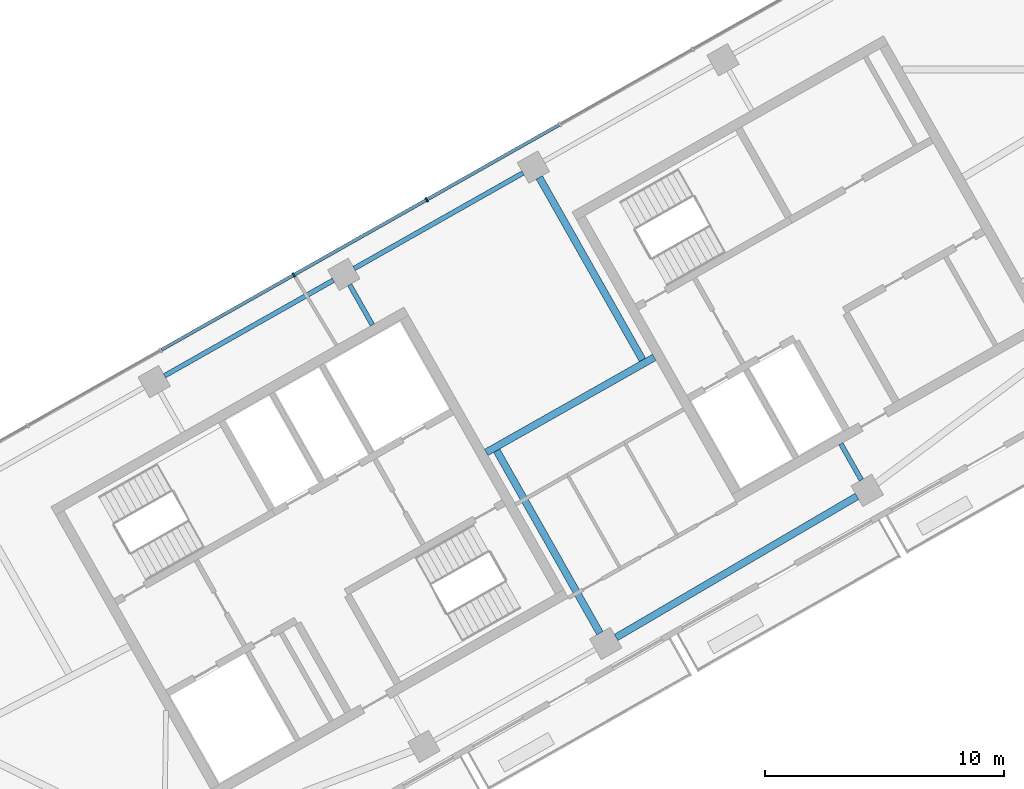
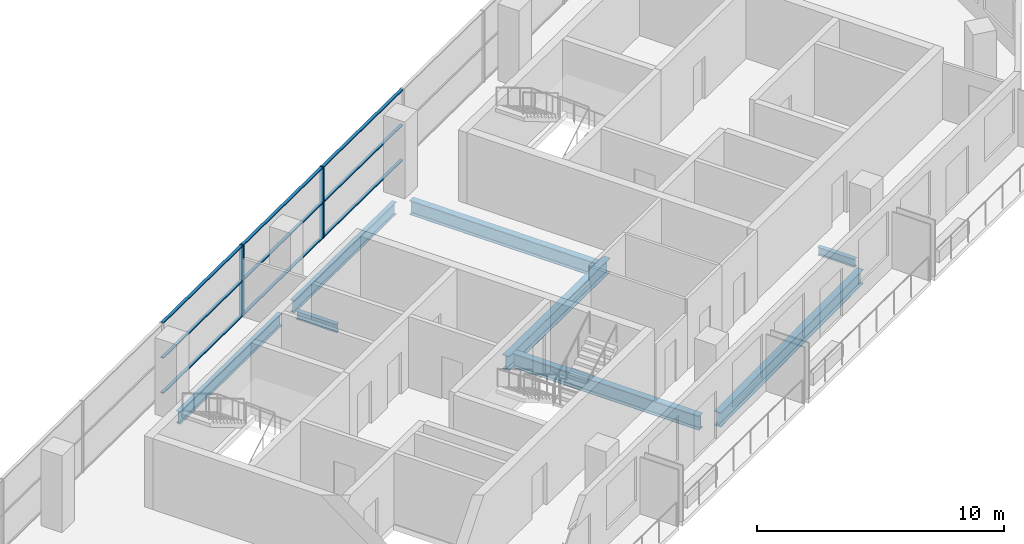
# One storey, part 3 of 10: 11 members, 8 beams, 1 element without a shape of its own.
"""IFC4 building model written with IfcOpenShell, lengths in metres."""

from ifc_helpers import new_model, si_unit, direction, frame, origin, origin_2d, place, context, subcontext, project, spatial, rectangle, i_section, extrude, material, material_profile, profile_set, type_object, element, aggregate, save


model = new_model("IFC4")

# Units and contexts
model_context = context("Model", 3, precision=1e-05, world=origin(), true_north=direction((0.0, 1.0)))
body_context = subcontext(model_context, "Body", "Model", "MODEL_VIEW")
ifc_project = project(units=[si_unit("LENGTHUNIT", "METRE"), si_unit("AREAUNIT", "SQUARE_METRE"), si_unit("VOLUMEUNIT", "CUBIC_METRE"), si_unit("PLANEANGLEUNIT", "RADIAN"), si_unit("MASSUNIT", "GRAM", prefix="KILO")], contexts=[model_context])

# Site, building, storey
site_placement = place(None, origin())
site = spatial("IfcSite", under=ifc_project, at=site_placement, CompositionType="ELEMENT")
building_placement = place(site_placement, origin())
building = spatial("IfcBuilding", under=site, at=building_placement, Name="Binnacle Exchange Tower", CompositionType="ELEMENT")
storey_placement = place(building_placement, frame((0.0, 0.0, 327.89990234375)))
storey = spatial("IfcBuildingStorey", under=building, at=storey_placement, Name="L74", CompositionType="ELEMENT", Elevation=327.89990234375)

# Curtain wall, members
ifc_material_1 = material(Name="Bronze anodised aluminium frame", Category="aluminium")
curtain_wall_type = type_object("IfcCurtainWallType", Name="External wall - curtain wall executive floors", PredefinedType="NOTDEFINED", material=ifc_material_1)
curtain_wall_placement = place(storey_placement, origin())
curtain_wall = element("IfcCurtainWall", 1, at=curtain_wall_placement, inside=storey, type_object=curtain_wall_type, Name="External wall curtain wall CW4-H03 L74", PredefinedType="NOTDEFINED")
ifc_material_profile_1 = material_profile(ifc_material_1, rectangle(XDim=0.199951171875, YDim=0.070068359375, at=origin_2d()), Name="AL 70x200")
ifc_profile_set_1 = profile_set([ifc_material_profile_1], Name="Bronze anodised aluminium frame")
member_type_1 = type_object("IfcMemberType", Name="CW4 MULLION 70x200", PredefinedType="MULLION", material=ifc_profile_set_1)
member_1_placement = place(storey_placement, frame((-30.85791015625, 54.541259765625, 0.0), z_axis=(0.0, 0.0, 1.0), x_axis=(0.492423763019, -0.870355581136, 0.0)))
member_1 = element("IfcMember", 2, at=member_1_placement, type_object=member_type_1, Name="CW4-H03 mullion 6", PredefinedType="MULLION", context=body_context, shape_type="SweptSolid", body=[
    extrude(rectangle(XDim=0.199951171875, YDim=0.070068359375, at=origin_2d()), origin(), (0.0, 0.0, 1.0), 3.52001953125),
])
member_2_placement = place(storey_placement, frame((-36.432861328125, 51.38720703125, 0.0), z_axis=(0.0, 0.0, 1.0), x_axis=(0.492423763019, -0.870355581136, 0.0)))
member_2 = element("IfcMember", 3, at=member_2_placement, type_object=member_type_1, Name="CW4-H03 mullion 7", PredefinedType="MULLION", context=body_context, shape_type="SweptSolid", body=[
    extrude(rectangle(XDim=0.199951171875, YDim=0.070068359375, at=origin_2d()), origin(), (0.0, 0.0, 1.0), 3.52001953125),
])
ifc_material_profile_2 = material_profile(ifc_material_1, rectangle(XDim=0.139892578125, YDim=0.050048828125, at=origin_2d()), Name="AL 140x50")
ifc_profile_set_2 = profile_set([ifc_material_profile_2], Name="Bronze anodised aluminium frame")
member_type_2 = type_object("IfcMemberType", Name="CW4 TRANSOM 50x140", PredefinedType="USERDEFINED", material=ifc_profile_set_2)
member_3_placement = place(storey_placement, frame((-25.3134765625, 57.67822265625, 0.025146484375), z_axis=(-0.870364679821, -0.492407680809, 0.0), x_axis=(0.492407680809, -0.870364679821, 0.0)))
member_3 = element("IfcMember", 4, at=member_3_placement, type_object=member_type_2, Name="CW4-H03 transom 5.1", ObjectType="TRANSOM", PredefinedType="USERDEFINED", context=body_context, shape_type="SweptSolid", body=[
    extrude(rectangle(XDim=0.139892578125, YDim=0.050048828125, at=origin_2d()), origin(), (0.0, 0.0, 1.0), 6.33544921875),
])
member_4_placement = place(storey_placement, frame((-25.3134765625, 57.67822265625, 1.760009765625), z_axis=(-0.870364679821, -0.492407680809, 0.0), x_axis=(0.492407680809, -0.870364679821, 0.0)))
member_4 = element("IfcMember", 5, at=member_4_placement, type_object=member_type_2, Name="CW4-H03 transom 5.2", ObjectType="TRANSOM", PredefinedType="USERDEFINED", context=body_context, shape_type="SweptSolid", body=[
    extrude(rectangle(XDim=0.139892578125, YDim=0.050048828125, at=origin_2d()), origin(), (0.0, 0.0, 1.0), 6.33544921875),
])
member_5_placement = place(storey_placement, frame((-25.3134765625, 57.67822265625, 3.4951171875), z_axis=(-0.870364679821, -0.492407680809, 0.0), x_axis=(0.492407680809, -0.870364679821, 0.0)))
member_5 = element("IfcMember", 6, at=member_5_placement, type_object=member_type_2, Name="CW4-H03 transom 5.3", ObjectType="TRANSOM", PredefinedType="USERDEFINED", context=body_context, shape_type="SweptSolid", body=[
    extrude(rectangle(XDim=0.139892578125, YDim=0.050048828125, at=origin_2d()), origin(), (0.0, 0.0, 1.0), 6.33544921875),
])
member_6_placement = place(storey_placement, frame((-30.888427734375, 54.524169921875, 0.025146484375), z_axis=(-0.870355335808, -0.492424196633, 0.0), x_axis=(0.492424196633, -0.870355335808, 0.0)))
member_6 = element("IfcMember", 7, at=member_6_placement, type_object=member_type_2, Name="CW4-H03 transom 6.1", ObjectType="TRANSOM", PredefinedType="USERDEFINED", context=body_context, shape_type="SweptSolid", body=[
    extrude(rectangle(XDim=0.139892578125, YDim=0.050048828125, at=origin_2d()), origin(), (0.0, 0.0, 1.0), 6.335205078125),
])
member_7_placement = place(storey_placement, frame((-30.888427734375, 54.524169921875, 1.760009765625), z_axis=(-0.870355335808, -0.492424196633, 0.0), x_axis=(0.492424196633, -0.870355335808, 0.0)))
member_7 = element("IfcMember", 8, at=member_7_placement, type_object=member_type_2, Name="CW4-H03 transom 6.2", ObjectType="TRANSOM", PredefinedType="USERDEFINED", context=body_context, shape_type="SweptSolid", body=[
    extrude(rectangle(XDim=0.139892578125, YDim=0.050048828125, at=origin_2d()), origin(), (0.0, 0.0, 1.0), 6.335205078125),
])
member_8_placement = place(storey_placement, frame((-30.888427734375, 54.524169921875, 3.4951171875), z_axis=(-0.870355335808, -0.492424196633, 0.0), x_axis=(0.492424196633, -0.870355335808, 0.0)))
member_8 = element("IfcMember", 9, at=member_8_placement, type_object=member_type_2, Name="CW4-H03 transom 6.3", ObjectType="TRANSOM", PredefinedType="USERDEFINED", context=body_context, shape_type="SweptSolid", body=[
    extrude(rectangle(XDim=0.139892578125, YDim=0.050048828125, at=origin_2d()), origin(), (0.0, 0.0, 1.0), 6.335205078125),
])
member_9_placement = place(storey_placement, frame((-36.46337890625, 51.3701171875, 0.025146484375), z_axis=(-0.870338819343, -0.492453388195, 0.0), x_axis=(0.492453388195, -0.870338819343, 0.0)))
member_9 = element("IfcMember", 10, at=member_9_placement, type_object=member_type_2, Name="CW4-H03 transom 7.1", ObjectType="TRANSOM", PredefinedType="USERDEFINED", context=body_context, shape_type="SweptSolid", body=[
    extrude(rectangle(XDim=0.139892578125, YDim=0.050048828125, at=origin_2d()), origin(), (0.0, 0.0, 1.0), 6.33544921875),
])
member_10_placement = place(storey_placement, frame((-36.46337890625, 51.3701171875, 1.760009765625), z_axis=(-0.870338819343, -0.492453388195, 0.0), x_axis=(0.492453388195, -0.870338819343, 0.0)))
member_10 = element("IfcMember", 11, at=member_10_placement, type_object=member_type_2, Name="CW4-H03 transom 7.2", ObjectType="TRANSOM", PredefinedType="USERDEFINED", context=body_context, shape_type="SweptSolid", body=[
    extrude(rectangle(XDim=0.139892578125, YDim=0.050048828125, at=origin_2d()), origin(), (0.0, 0.0, 1.0), 6.33544921875),
])
member_11_placement = place(storey_placement, frame((-36.46337890625, 51.3701171875, 3.4951171875), z_axis=(-0.870338819343, -0.492453388195, 0.0), x_axis=(0.492453388195, -0.870338819343, 0.0)))
member_11 = element("IfcMember", 12, at=member_11_placement, type_object=member_type_2, Name="CW4-H03 transom 7.3", ObjectType="TRANSOM", PredefinedType="USERDEFINED", context=body_context, shape_type="SweptSolid", body=[
    extrude(rectangle(XDim=0.139892578125, YDim=0.050048828125, at=origin_2d()), origin(), (0.0, 0.0, 1.0), 6.33544921875),
])
aggregate(curtain_wall, [member_1, member_2, member_3, member_4, member_5, member_6, member_7, member_8, member_9, member_10, member_11])

# Beams
ifc_material_2 = material(Name="Steel S355 (SHN355)", Category="steel")
ifc_material_profile_3 = material_profile(ifc_material_2, i_section(OverallWidth=0.201904296875, OverallDepth=0.612060546875, WebThickness=0.012939453125, FlangeThickness=0.02294921875, FilletRadius=0.02197265625, at=origin_2d()), Name="H 612x202x13x23")
ifc_profile_set_3 = profile_set([ifc_material_profile_3], Name="Steel S355 (SHN355)")
beam_type_1 = type_object("IfcBeamType", Name="Edge girder H 612x202x13x23 Steel S355 (SHN355)", PredefinedType="SPANDREL", material=ifc_profile_set_3)
beam_1_placement = place(storey_placement, frame((-34.76904296875, 51.168212890625, -0.5859375), z_axis=(-0.870345742373, -0.492441152558, 0.0), x_axis=(0.492441152558, -0.870345742373, 0.0)))
element("IfcBeam", 13, at=beam_1_placement, inside=storey, type_object=beam_type_1, Name="S:BM:edge:L74:009", PredefinedType="SPANDREL", context=body_context, shape_type="SweptSolid", body=[
    extrude(i_section(OverallWidth=0.201904296875, OverallDepth=0.612060546875, WebThickness=0.012939453125, FlangeThickness=0.02294921875, FilletRadius=0.02197265625, at=origin_2d()), origin(), (0.0, 0.0, 1.0), 8.129638671875),
])
beam_2_placement = place(storey_placement, frame((-26.82275390625, 55.6640625, -0.5859375), z_axis=(-0.870353024448, -0.49242828192, 0.0), x_axis=(0.49242828192, -0.870353024448, 0.0)))
element("IfcBeam", 14, at=beam_2_placement, inside=storey, type_object=beam_type_1, Name="S:BM:edge:L74:011", PredefinedType="SPANDREL", context=body_context, shape_type="SweptSolid", body=[
    extrude(i_section(OverallWidth=0.201904296875, OverallDepth=0.612060546875, WebThickness=0.012939453125, FlangeThickness=0.02294921875, FilletRadius=0.02197265625, at=origin_2d()), origin(), (0.0, 0.0, 1.0), 8.1298828125),
])
ifc_material_profile_4 = material_profile(ifc_material_2, i_section(OverallWidth=0.302001953125, OverallDepth=0.7080078125, WebThickness=0.014892578125, FlangeThickness=0.028076171875, FilletRadius=0.028076171875, at=origin_2d()), Name="H 708x302x15x28")
ifc_profile_set_4 = profile_set([ifc_material_profile_4], Name="Steel S355 (SHN355)")
beam_type_2 = type_object("IfcBeamType", Name="Edge girder H 708x302x15x28 Steel S355 (SHN355)", PredefinedType="SPANDREL", material=ifc_profile_set_4)
beam_3_placement = place(storey_placement, frame((-22.924560546875, 36.198974609375, -0.6337890625), z_axis=(0.862883491145, 0.505402889494, 0.0), x_axis=(-0.505402889494, 0.862883491145, 0.0)))
element("IfcBeam", 15, at=beam_3_placement, inside=storey, type_object=beam_type_2, Name="S:BM:edge:L74:012", PredefinedType="SPANDREL", context=body_context, shape_type="SweptSolid", body=[
    extrude(i_section(OverallWidth=0.302001953125, OverallDepth=0.7080078125, WebThickness=0.014892578125, FlangeThickness=0.028076171875, FilletRadius=0.028076171875, at=origin_2d()), origin(), (0.0, 0.0, 1.0), 11.69677734375),
])
ifc_material_profile_5 = material_profile(ifc_material_2, i_section(OverallWidth=0.199951171875, OverallDepth=0.39990234375, WebThickness=0.008056640625, FlangeThickness=0.012939453125, FilletRadius=0.01611328125, at=origin_2d()), Name="H 400x200x8x13")
ifc_profile_set_5 = profile_set([ifc_material_profile_5], Name="Steel S355 (SHN355)")
beam_type_3 = type_object("IfcBeamType", Name="Floor beam H 400x200x8x13 Steel S355 (SHN355)", PredefinedType="BEAM", material=ifc_profile_set_5)
beam_4_placement = place(storey_placement, frame((-34.087646484375, 50.979248046875, -0.47998046875), z_axis=(0.492464757892, -0.870332386065, 0.0), x_axis=(0.870332386065, 0.492464757892, 0.0)))
element("IfcBeam", 16, at=beam_4_placement, inside=storey, type_object=beam_type_3, Name="S:BM:cross:L74:022", PredefinedType="BEAM", context=body_context, shape_type="SweptSolid", body=[
    extrude(i_section(OverallWidth=0.199951171875, OverallDepth=0.39990234375, WebThickness=0.008056640625, FlangeThickness=0.012939453125, FilletRadius=0.01611328125, at=origin_2d()), origin(), (0.0, 0.0, 1.0), 1.934326171875),
])
beam_5_placement = place(storey_placement, frame((-12.646240234375, 42.79833984375, -0.47998046875), z_axis=(-0.492426196623, 0.870354204264, 0.0), x_axis=(-0.870354204264, -0.492426196623, 0.0)))
element("IfcBeam", 17, at=beam_5_placement, inside=storey, type_object=beam_type_3, Name="S:BM:cross:L74:027", PredefinedType="BEAM", context=body_context, shape_type="SweptSolid", body=[
    extrude(i_section(OverallWidth=0.199951171875, OverallDepth=0.39990234375, WebThickness=0.008056640625, FlangeThickness=0.012939453125, FilletRadius=0.01611328125, at=origin_2d()), origin(), (0.0, 0.0, 1.0), 1.744140625),
])
ifc_material_profile_6 = material_profile(ifc_material_2, i_section(OverallWidth=0.302001953125, OverallDepth=0.7080078125, WebThickness=0.014892578125, FlangeThickness=0.028076171875, FilletRadius=0.028076171875, at=origin_2d()), Name="H 708x302x15x28")
ifc_profile_set_6 = profile_set([ifc_material_profile_6], Name="Steel S355 (SHN355)")
beam_type_4 = type_object("IfcBeamType", Name="Floor beam H 708x302x15x28 Steel S355 (SHN355)", PredefinedType="BEAM", material=ifc_profile_set_6)
for number, where, z_axis, x_axis, name in (
    (18, (-26.141357421875, 55.47509765625, -0.6337890625), (0.492407973512, -0.870364514225, 0.0), (0.870364514225, 0.492407973512, 0.0), "S:BM:cross:L74:024"),
    (19, (-23.602294921875, 36.38134765625, -0.6337890625), (-0.492407973512, 0.870364514225, 0.0), (-0.870364514225, -0.492407973512, 0.0), "S:BM:cross:L74:025"),
):
    element("IfcBeam", number, at=place(storey_placement, frame(where, z_axis=z_axis, x_axis=x_axis)), inside=storey, type_object=beam_type_4, Name=name, PredefinedType="BEAM", context=body_context, shape_type="SweptSolid", body=[
        extrude(i_section(OverallWidth=0.302001953125, OverallDepth=0.7080078125, WebThickness=0.014892578125, FlangeThickness=0.028076171875, FilletRadius=0.028076171875, at=origin_2d()), origin(), (0.0, 0.0, 1.0), 8.7841796875),
    ])
ifc_material_profile_7 = material_profile(ifc_material_2, i_section(OverallWidth=0.302001953125, OverallDepth=0.7080078125, WebThickness=0.014892578125, FlangeThickness=0.028076171875, FilletRadius=0.028076171875, at=origin_2d()), Name="H 708x302x15x28")
ifc_profile_set_7 = profile_set([ifc_material_profile_7], Name="Steel S355 (SHN355)")
beam_type_5 = type_object("IfcBeamType", Name="Spine girder H 708x302x15x28 Steel S355 (SHN355)", PredefinedType="BEAM", material=ifc_profile_set_7)
beam_6_placement = place(storey_placement, frame((-28.365478515625, 43.951416015625, -0.6337890625), z_axis=(0.870350319004, 0.492433063684, 0.0), x_axis=(-0.492433063684, 0.870350319004, 0.0)))
element("IfcBeam", 20, at=beam_6_placement, inside=storey, type_object=beam_type_5, Name="S:BM:spine:L74:002", PredefinedType="BEAM", context=body_context, shape_type="SweptSolid", body=[
    extrude(i_section(OverallWidth=0.302001953125, OverallDepth=0.7080078125, WebThickness=0.014892578125, FlangeThickness=0.028076171875, FilletRadius=0.028076171875, at=origin_2d()), origin(), (0.0, 0.0, 1.0), 8.0908203125),
])

save(model, "model.ifc")
